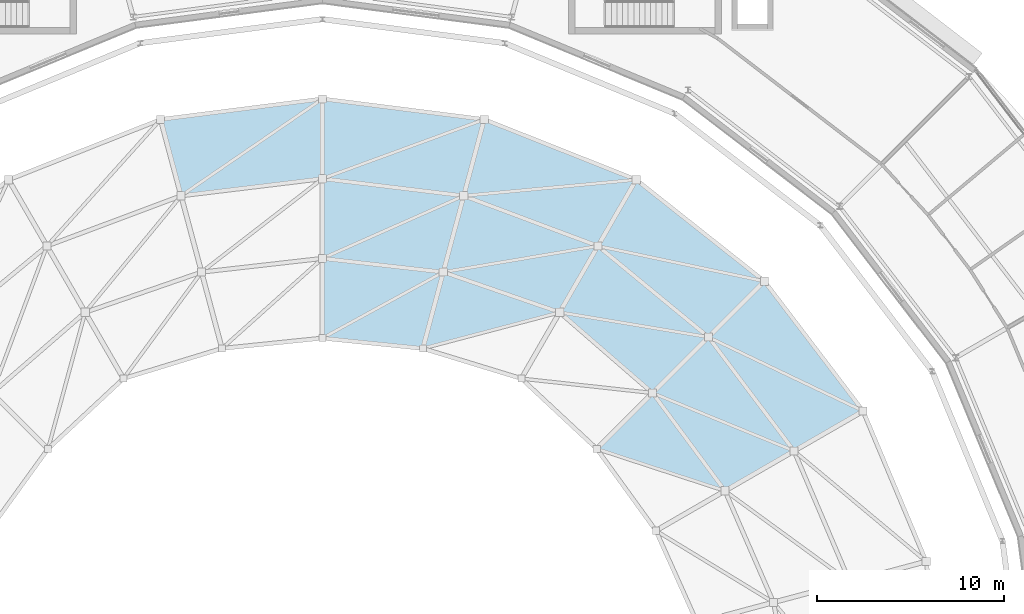
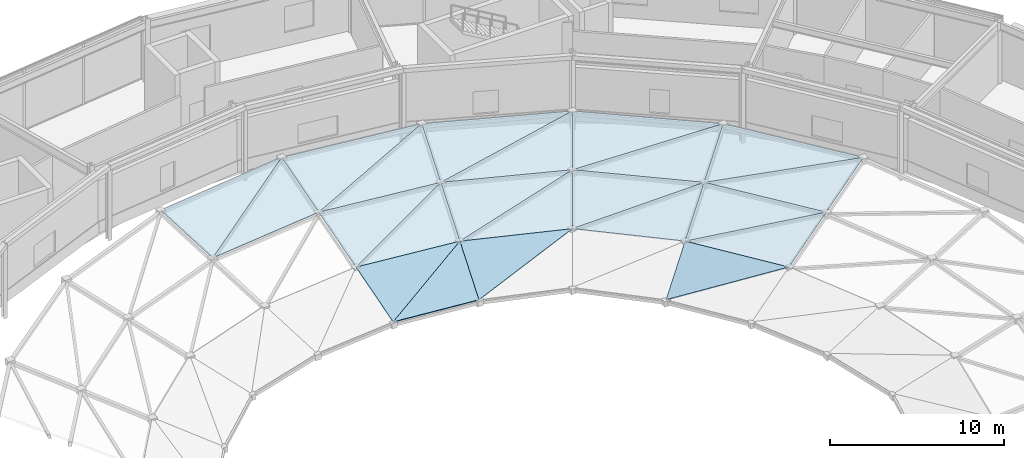
# One storey, part 72 of 89: 22 roofs.
"""IFC4 building model written with IfcOpenShell, lengths in metres."""

from ifc_helpers import new_model, si_unit, direction, frame, origin, place, context, subcontext, project, spatial, polyline, outline, extrude, material, layer, layer_set, type_object, element, save


model = new_model("IFC4")

# Units and contexts
model_context = context("Model", 3, precision=1e-05, world=origin(), true_north=direction((0.0, 1.0)))
body_context = subcontext(model_context, "Body", "Model", "MODEL_VIEW")
ifc_project = project(units=[si_unit("LENGTHUNIT", "METRE"), si_unit("AREAUNIT", "SQUARE_METRE"), si_unit("VOLUMEUNIT", "CUBIC_METRE"), si_unit("PLANEANGLEUNIT", "RADIAN"), si_unit("MASSUNIT", "GRAM", prefix="KILO")], contexts=[model_context])

# Site, building, storey
site_placement = place(None, origin())
site = spatial("IfcSite", under=ifc_project, at=site_placement, CompositionType="ELEMENT")
building_placement = place(site_placement, origin())
building = spatial("IfcBuilding", under=site, at=building_placement, Name="Almandine Court Research Institute", CompositionType="ELEMENT")
storey_placement = place(building_placement, frame((0.0, 0.0, 18.89990234375)))
storey = spatial("IfcBuildingStorey", under=building, at=storey_placement, Name="L04", CompositionType="ELEMENT", Elevation=18.89990234375)

# Roofs
ifc_material = material(Name="Insulated Laminated Low-E Glass Roof Panel", Category="glass")
ifc_layer = layer(ifc_material, 0.080078125)
ifc_layer_set = layer_set([ifc_layer], Name="Insulated Laminated Low-E Glass Roof Panel")
roof_type = type_object("IfcRoofType", Name="Roof-GS-Facet", PredefinedType="PAVILION_ROOF", material=ifc_layer_set)
roof_1_placement = place(storey_placement, frame((115.912109375, 72.69189453125, 4.153076171875), z_axis=(-0.228902666245, -0.174033646617, 0.957766077511), x_axis=(-0.605232319599, 0.796048892539, 0.0)))
element("IfcRoof", 1, at=roof_1_placement, inside=storey, type_object=roof_type, Name="Atrium Conical Gridshell Roof Facet R1-S02-1", PredefinedType="PAVILION_ROOF", context=body_context, shape_type="SweptSolid", body=[
    extrude(outline(polyline([(0.0, 0.0), (8.720744086123446, 0.0), (8.150577085095255, 4.371714932124634), (0.0, 0.0)])), origin(), (0.0, 0.0, -1.0), 0.080078125),
])
roof_2_placement = place(storey_placement, frame((115.912109375, 72.69189453125, 4.153076171875), z_axis=(-0.227562874171, -0.170955148612, 0.958639387602), x_axis=(-0.893731546791, 0.427517163797, -0.13591540358)))
element("IfcRoof", 2, at=roof_2_placement, inside=storey, type_object=roof_type, Name="Atrium Conical Gridshell Roof Facet R1-S02-2", PredefinedType="PAVILION_ROOF", context=body_context, shape_type="SweptSolid", body=[
    extrude(outline(polyline([(0.0, 0.0), (9.248989040313614, -3.885780586188048e-16), (2.5609864680797925, 3.6349191602134177), (0.0, 0.0)])), origin(), (0.0, 0.0, -1.0), 0.080078125),
])
roof_3_placement = place(storey_placement, frame((110.634033203125, 79.634033203125, 4.153076171875), z_axis=(-0.184033973849, -0.232457866648, 0.955036563019), x_axis=(-0.784037897323, 0.620712957461, 0.0)))
element("IfcRoof", 3, at=roof_3_placement, inside=storey, type_object=roof_type, Name="Atrium Conical Gridshell Roof Facet R1-S03-1", PredefinedType="PAVILION_ROOF", context=body_context, shape_type="SweptSolid", body=[
    extrude(outline(polyline([(0.0, 0.0), (8.743174905385716, 0.0), (8.148421115968345, 4.239901343981531), (0.0, 0.0)])), origin(), (0.0, 0.0, -1.0), 0.080078125),
])
roof_4_placement = place(storey_placement, frame((110.634033203125, 79.634033203125, 4.153076171875), z_axis=(-0.182053292996, -0.221033428706, 0.958123594274), x_axis=(-0.969146294413, 0.205003026871, -0.136854736855)))
element("IfcRoof", 4, at=roof_4_placement, inside=storey, type_object=roof_type, Name="Atrium Conical Gridshell Roof Facet R1-S03-2", PredefinedType="PAVILION_ROOF", context=body_context, shape_type="SweptSolid", body=[
    extrude(outline(polyline([(0.0, 0.0), (9.185506523314608, -1.6653345369377348e-16), (2.455325803590305, 3.6617423523572215), (0.0, 0.0)])), origin(), (0.0, 0.0, -1.0), 0.080078125),
])
roof_5_placement = place(storey_placement, frame((103.779052734375, 85.06103515625, 4.153076171875), z_axis=(-0.105767240577, -0.266664804281, 0.957968252594), x_axis=(-0.929552993043, 0.368688531317, 0.0)))
element("IfcRoof", 5, at=roof_5_placement, inside=storey, type_object=roof_type, Name="Atrium Conical Gridshell Roof Facet R1-S04-1", PredefinedType="PAVILION_ROOF", context=body_context, shape_type="SweptSolid", body=[
    extrude(outline(polyline([(0.0, 0.0), (8.744174768902253, -4.440892098500626e-16), (8.256102190339577, 4.381990162765354), (0.0, 0.0)])), origin(), (0.0, 0.0, -1.0), 0.080078125),
])
roof_6_placement = place(storey_placement, frame((103.779052734375, 85.06103515625, 4.153076171875), z_axis=(-0.104234327413, -0.278460380725, 0.954774853751), x_axis=(-0.986652306257, -0.091811374398, -0.13449125655)))
element("IfcRoof", 6, at=roof_6_placement, inside=storey, type_object=roof_type, Name="Atrium Conical Gridshell Roof Facet R1-S04-2", PredefinedType="PAVILION_ROOF", context=body_context, shape_type="SweptSolid", body=[
    extrude(outline(polyline([(0.0, 0.0), (9.346927899791583, 1.1102230246251565e-16), (2.5142355905025817, 3.4654169838812843), (0.0, 0.0)])), origin(), (0.0, 0.0, -1.0), 0.080078125),
])
roof_7_placement = place(storey_placement, frame((95.65087890625, 88.284912109375, 4.153076171875), z_axis=(-0.03592981257, -0.282542605103, 0.958581621392), x_axis=(-0.992011166569, 0.126150090776, 0.0)))
element("IfcRoof", 7, at=roof_7_placement, inside=storey, type_object=roof_type, Name="Atrium Conical Gridshell Roof Facet R1-S05-1", PredefinedType="PAVILION_ROOF", context=body_context, shape_type="SweptSolid", body=[
    extrude(outline(polyline([(0.0, 0.0), (8.720545894832956, 2.220446049250313e-16), (8.182529308952331, 4.413626307140402), (0.0, 0.0)])), origin(), (0.0, 0.0, -1.0), 0.080078125),
])
roof_8_placement = place(storey_placement, frame((95.65087890625, 88.284912109375, 4.153076171875), z_axis=(-0.034670216191, -0.285639393601, 0.957709827104), x_axis=(-0.930503949318, -0.340410980838, -0.135213773072)))
element("IfcRoof", 8, at=roof_8_placement, inside=storey, type_object=roof_type, Name="Atrium Conical Gridshell Roof Facet R1-S05-2", PredefinedType="PAVILION_ROOF", context=body_context, shape_type="SweptSolid", body=[
    extrude(outline(polyline([(0.0, 0.0), (9.296982471261614, 7.216449660063518e-16), (2.5775086704230277, 3.577219825843985), (0.0, 0.0)])), origin(), (0.0, 0.0, -1.0), 0.080078125),
])
roof_9_placement = place(storey_placement, frame((87.0, 89.385009765625, 4.153076171875), z_axis=(0.036271505953, -0.285229592087, 0.957772654472), x_axis=(-0.992011166569, -0.126150090776, 0.0)))
element("IfcRoof", 9, at=roof_9_placement, inside=storey, type_object=roof_type, Name="Atrium Conical Gridshell Roof Facet R1-S06-1", PredefinedType="PAVILION_ROOF", context=body_context, shape_type="SweptSolid", body=[
    extrude(outline(polyline([(0.0, 0.0), (8.720545894832956, 0.0), (8.150240103910345, 4.372048025051564), (0.0, 0.0)])), origin(), (0.0, 0.0, -1.0), 0.080078125),
])
roof_10_placement = place(storey_placement, frame((87.0, 89.385009765625, 4.153076171875), z_axis=(0.034296305042, -0.282558831507, 0.958636672675), x_axis=(-0.817062137148, -0.560299839211, -0.135917453694)))
element("IfcRoof", 10, at=roof_10_placement, inside=storey, type_object=roof_type, Name="Atrium Conical Gridshell Roof Facet R1-S06-2", PredefinedType="PAVILION_ROOF", context=body_context, shape_type="SweptSolid", body=[
    extrude(outline(polyline([(0.0, 0.0), (9.248849533036301, 2.7755575615628914e-16), (2.560477749084651, 3.6350395764292407), (0.0, 0.0)])), origin(), (0.0, 0.0, -1.0), 0.080078125),
])
roof_11_placement = place(storey_placement, frame((112.218017578125, 70.56005859375, 2.89599609375), z_axis=(-0.230029577552, -0.172808243695, 0.957717967025), x_axis=(-0.600636143888, 0.799522496654, 0.0)))
element("IfcRoof", 11, at=roof_11_placement, inside=storey, type_object=roof_type, Name="Atrium Conical Gridshell Roof Facet R2-S02-1", PredefinedType="PAVILION_ROOF", context=body_context, shape_type="SweptSolid", body=[
    extrude(outline(polyline([(0.0, 0.0), (7.611965298626422, 0.0), (7.017685496013431, 4.368432170012712), (0.0, 0.0)])), origin(), (0.0, 0.0, -1.0), 0.080078125),
])
roof_12_placement = place(storey_placement, frame((112.218017578125, 70.56005859375, 2.89599609375), z_axis=(-0.228646588584, -0.169025171127, 0.958723750125), x_axis=(-0.914567840057, 0.37476430028, -0.152044023788)))
element("IfcRoof", 12, at=roof_12_placement, inside=storey, type_object=roof_type, Name="Atrium Conical Gridshell Roof Facet R2-S02-2", PredefinedType="PAVILION_ROOF", context=body_context, shape_type="SweptSolid", body=[
    extrude(outline(polyline([(0.0, 0.0), (8.266263324196688, -5.551115123125783e-16), (2.769305336779173, 3.4784501278536424), (0.0, 0.0)])), origin(), (0.0, 0.0, -1.0), 0.080078125),
])
roof_13_placement = place(storey_placement, frame((107.64599609375, 76.64599609375, 2.89599609375), z_axis=(-0.188976876389, -0.229439447357, 0.954801173118), x_axis=(-0.77188608333, 0.635760862558, 0.0)))
element("IfcRoof", 13, at=roof_13_placement, inside=storey, type_object=roof_type, Name="Atrium Conical Gridshell Roof Facet R2-S03-1", PredefinedType="PAVILION_ROOF", context=body_context, shape_type="SweptSolid", body=[
    extrude(outline(polyline([(0.0, 0.0), (7.661833303798466, -4.440892098500626e-16), (6.987156031606541, 4.228279750334236), (0.0, 0.0)])), origin(), (0.0, 0.0, -1.0), 0.080078125),
])
roof_14_placement = place(storey_placement, frame((107.64599609375, 76.64599609375, 2.89599609375), z_axis=(-0.187262395446, -0.215823355023, 0.958307400931), x_axis=(-0.974658006895, 0.162353319698, -0.15389336951)))
element("IfcRoof", 14, at=roof_14_placement, inside=storey, type_object=roof_type, Name="Atrium Conical Gridshell Roof Facet R2-S03-2", PredefinedType="PAVILION_ROOF", context=body_context, shape_type="SweptSolid", body=[
    extrude(outline(polyline([(0.0, 0.0), (8.166927149001772, 2.220446049250313e-16), (2.620615266804587, 3.545242407958367), (0.0, 0.0)])), origin(), (0.0, 0.0, -1.0), 0.080078125),
])
roof_15_placement = place(storey_placement, frame((101.73193359375, 81.51708984375, 2.89599609375), z_axis=(-0.100385478345, -0.268178240439, 0.958124828555), x_axis=(-0.936537239309, 0.350568109484, 0.0)))
element("IfcRoof", 15, at=roof_15_placement, inside=storey, type_object=roof_type, Name="Atrium Conical Gridshell Roof Facet R2-S04-1", PredefinedType="PAVILION_ROOF", context=body_context, shape_type="SweptSolid", body=[
    extrude(outline(polyline([(0.0, 0.0), (7.661253100217347, 0.0), (7.255217313916364, 4.389146775085394), (0.0, 0.0)])), origin(), (0.0, 0.0, -1.0), 0.080078125),
])
roof_16_placement = place(storey_placement, frame((101.73193359375, 81.51708984375, 2.89599609375), z_axis=(-0.097471529471, -0.282110739889, 0.954417535139), x_axis=(-0.97517460814, -0.164515728105, -0.148219630431)))
element("IfcRoof", 16, at=roof_16_placement, inside=storey, type_object=roof_type, Name="Atrium Conical Gridshell Roof Facet R2-S04-2", PredefinedType="PAVILION_ROOF", context=body_context, shape_type="SweptSolid", body=[
    extrude(outline(polyline([(0.0, 0.0), (8.479551148816446, 1.1102230246251565e-16), (2.7646315335653355, 3.269610305879749), (0.0, 0.0)])), origin(), (0.0, 0.0, -1.0), 0.080078125),
])
roof_17_placement = place(storey_placement, frame((94.556884765625, 84.202880859375, 2.89599609375), z_axis=(-0.0342883799, -0.282493538205, 0.958656198998), x_axis=(-0.992714148527, 0.120493233483, 0.0)))
element("IfcRoof", 17, at=roof_17_placement, inside=storey, type_object=roof_type, Name="Atrium Conical Gridshell Roof Facet R2-S05-1", PredefinedType="PAVILION_ROOF", context=body_context, shape_type="SweptSolid", body=[
    extrude(outline(polyline([(0.0, 0.0), (7.612347196664603, 0.0), (7.098427082173308, 4.41666321099337), (0.0, 0.0)])), origin(), (0.0, 0.0, -1.0), 0.080078125),
])
roof_18_placement = place(storey_placement, frame((94.556884765625, 84.202880859375, 2.89599609375), z_axis=(-0.032459275498, -0.28622982711, 0.957611028292), x_axis=(-0.903901374916, -0.400452284244, -0.150333869999)))
element("IfcRoof", 18, at=roof_18_placement, inside=storey, type_object=roof_type, Name="Atrium Conical Gridshell Roof Facet R2-S05-2", PredefinedType="PAVILION_ROOF", context=body_context, shape_type="SweptSolid", body=[
    extrude(outline(polyline([(0.0, 0.0), (8.360297899014947, -1.6653345369377348e-16), (2.8119777233635372, 3.3944448377174723), (0.0, 0.0)])), origin(), (0.0, 0.0, -1.0), 0.080078125),
])
roof_19_placement = place(storey_placement, frame((108.52490234375, 68.427001953125, 1.63916015625), z_axis=(-0.231801519788, -0.171357428915, 0.957551401743), x_axis=(-0.594449099099, 0.804133240564, 0.0)))
element("IfcRoof", 19, at=roof_19_placement, inside=storey, type_object=roof_type, Name="Atrium Conical Gridshell Roof Facet R3-S02-1", PredefinedType="PAVILION_ROOF", context=body_context, shape_type="SweptSolid", body=[
    extrude(outline(polyline([(0.0, 0.0), (6.505087425038823, -4.440892098500626e-16), (5.878543429093522, 4.36427321167795), (0.0, 0.0)])), origin(), (0.0, 0.0, -1.0), 0.080078125),
])
roof_20_placement = place(storey_placement, frame((99.68603515625, 77.971923828125, 1.63916015625), z_axis=(-0.093397012502, -0.270317911738, 0.958230256592), x_axis=(-0.945174599161, 0.326565425453, 0.0)))
element("IfcRoof", 20, at=roof_20_placement, inside=storey, type_object=roof_type, Name="Atrium Conical Gridshell Roof Facet R3-S04-1", PredefinedType="PAVILION_ROOF", context=body_context, shape_type="SweptSolid", body=[
    extrude(outline(polyline([(0.0, 0.0), (6.584121639299881, 0.0), (6.2839330631919275, 4.398832372513992), (0.0, 0.0)])), origin(), (0.0, 0.0, -1.0), 0.080078125),
])
roof_21_placement = place(storey_placement, frame((93.462890625, 80.1220703125, 1.63916015625), z_axis=(-0.032068248262, -0.282781701529, 0.958648077625), x_axis=(-0.993631259919, 0.11268060752, 0.0)))
element("IfcRoof", 21, at=roof_21_placement, inside=storey, type_object=roof_type, Name="Atrium Conical Gridshell Roof Facet R3-S05-1", PredefinedType="PAVILION_ROOF", context=body_context, shape_type="SweptSolid", body=[
    extrude(outline(polyline([(0.0, 0.0), (6.504314916103564, 0.0), (6.0237442293915535, 4.420527912935233), (0.0, 0.0)])), origin(), (0.0, 0.0, -1.0), 0.080078125),
])
roof_22_placement = place(storey_placement, frame((93.462890625, 80.1220703125, 1.63916015625), z_axis=(-0.029416821851, -0.287195922518, 0.957420050282), x_axis=(-0.864980598239, -0.472713596053, -0.168375831925)))
element("IfcRoof", 22, at=roof_22_placement, inside=storey, type_object=roof_type, Name="Atrium Conical Gridshell Roof Facet R3-S05-2", PredefinedType="PAVILION_ROOF", context=body_context, shape_type="SweptSolid", body=[
    extrude(outline(polyline([(0.0, 0.0), (7.471717444481391, 3.885780586188048e-16), (3.086685826572186, 3.148366247872247), (0.0, 0.0)])), origin(), (0.0, 0.0, -1.0), 0.080078125),
])

save(model, "model.ifc")
